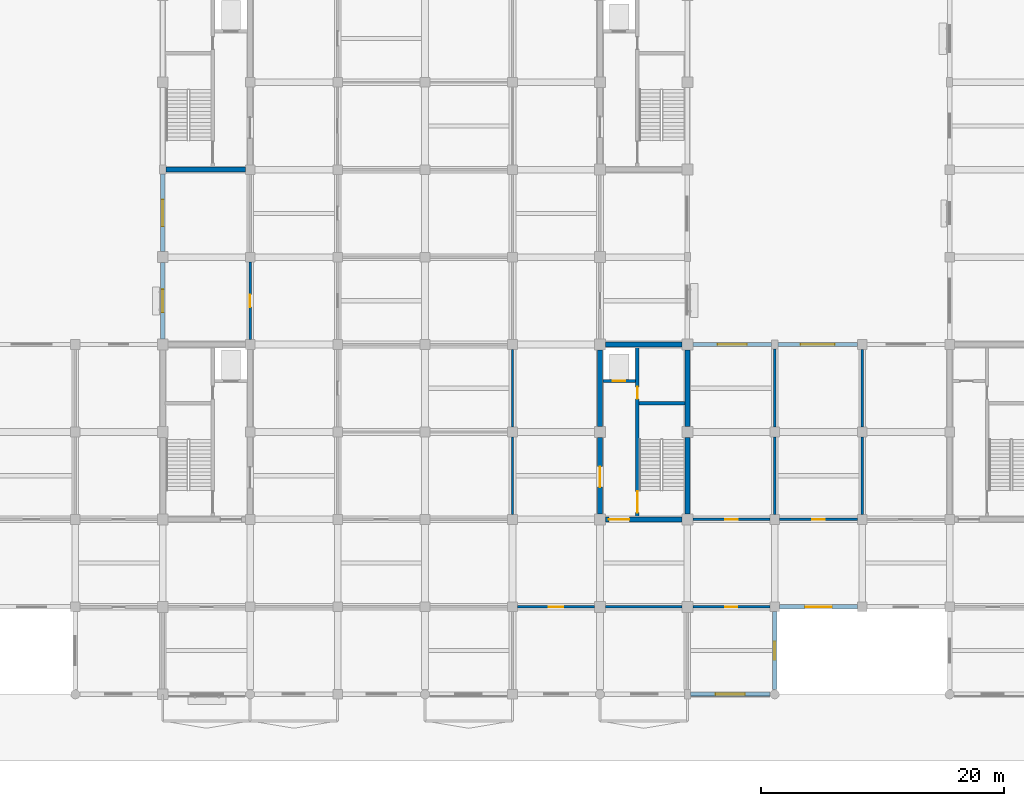
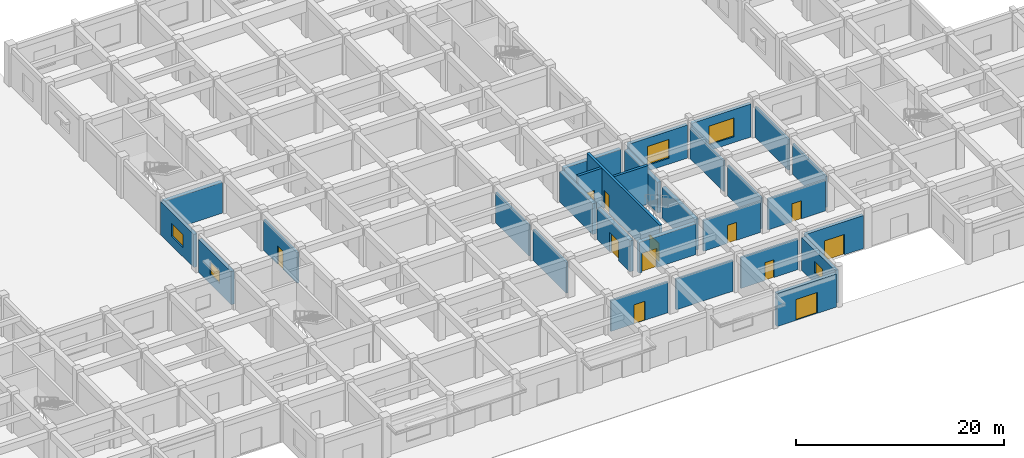
# One storey, part 12 of 37: 29 walls, 12 doors, 5 windows, 17 openings.
"""IFC4 building model written with IfcOpenShell, lengths in metres."""

from ifc_helpers import new_model, si_unit, direction, frame, frame_2d, origin, place, context, subcontext, project, spatial, rectangle, extrude, material, layer, layer_set, type_object, element, fill, save


model = new_model("IFC4")

# Units and contexts
model_context = context("Model", 3, precision=1e-05, world=origin(), true_north=direction((0.0, 1.0)))
body_context = subcontext(model_context, "Body", "Model", "MODEL_VIEW")
ifc_project = project(units=[si_unit("LENGTHUNIT", "METRE"), si_unit("AREAUNIT", "SQUARE_METRE"), si_unit("VOLUMEUNIT", "CUBIC_METRE"), si_unit("PLANEANGLEUNIT", "RADIAN"), si_unit("MASSUNIT", "GRAM", prefix="KILO")], contexts=[model_context])

# Site, building, storey
site_placement = place(None, origin())
site = spatial("IfcSite", under=ifc_project, at=site_placement, CompositionType="ELEMENT")
building_placement = place(site_placement, origin())
building = spatial("IfcBuilding", under=site, at=building_placement, Name="Cendaluz Park School", CompositionType="ELEMENT")
storey_placement = place(building_placement, origin())
storey = spatial("IfcBuildingStorey", under=building, at=storey_placement, Name="L00", CompositionType="ELEMENT", Elevation=0.0)

# Wall, opening, door
ifc_material_1 = material(Name="Gypsum Plasterboard on Cold-Formed Stud", Category="gypsum")
ifc_layer_1 = layer(ifc_material_1, 0.199951171875)
ifc_layer_set_1 = layer_set([ifc_layer_1], Name="Gypsum Plasterboard on Cold-Formed Stud")
wall_type_1 = type_object("IfcWallType", Name="W-AC20", PredefinedType="PARTITIONING", material=ifc_layer_set_1)
wall_1_placement = place(storey_placement, frame((108.449951171875, 14.39990234375, 0.0), z_axis=(0.0, 0.0, 1.0), x_axis=(1.0, 0.0, 0.0)))
wall_1 = element("IfcWall", 1, at=wall_1_placement, inside=storey, type_object=wall_type_1, Name="WL-FA-CH1", PredefinedType="PARTITIONING", context=body_context, shape_type="SweptSolid", body=[
    extrude(rectangle(XDim=6.35009765625, YDim=0.199951171875, at=frame_2d((3.175048828125, 0.0))), origin(), (0.0, 0.0, 1.0), 3.6201171875),
])
opening_1_placement = place(wall_1_placement, frame((2.6650390625, 0.0, 0.0)))
opening_1 = element("IfcOpeningElement", 2, at=opening_1_placement, cuts=wall_1, Name="Opening DCL-02", PredefinedType="OPENING", context=body_context, shape_type="SweptSolid", body=[
    extrude(rectangle(XDim=1.02001953125, YDim=2.1201171875, at=frame_2d((0.510009765625, 1.06005859375))), frame((0.0, 0.112060546875, 0.0), z_axis=(0.0, -1.0, 0.0), x_axis=(1.0, 0.0, 0.0)), (0.0, 0.0, 1.0), 0.223876953125),
])
ifc_material_2 = material(Name="Solid Core Hardwood", Category="wood")
door_type_1 = type_object("IfcDoorType", Name="DCL-02", OperationType="NOTDEFINED", PredefinedType="DOOR", material=ifc_material_2)
door_1_placement = place(opening_1_placement, origin())
door_1 = element("IfcDoor", 3, at=door_1_placement, inside=storey, type_object=door_type_1, Name="D-L00-084", OperationType="SINGLE_SWING_RIGHT", OverallHeight=2.1201171875, OverallWidth=1.02001953125, PredefinedType="DOOR", context=body_context, shape_type="SweptSolid", body=[
    extrude(rectangle(XDim=1.02001953125, YDim=2.1201171875, at=frame_2d((0.510009765625, 1.06005859375))), frame((0.0, 0.02490234375, 0.0), z_axis=(0.0, -1.0, 0.0), x_axis=(1.0, 0.0, 0.0)), (0.0, 0.0, 1.0), 0.050048828125),
])
fill(opening_1, door_1)

# Walls
wall_2_placement = place(storey_placement, frame((115.199951171875, 14.800048828125, 0.0), z_axis=(0.0, 0.0, 1.0), x_axis=(0.0, 1.0, 0.0)))
element("IfcWall", 4, at=wall_2_placement, inside=storey, type_object=wall_type_1, Name="WL-FA-CH2", PredefinedType="PARTITIONING", context=body_context, shape_type="SweptSolid", body=[
    extrude(rectangle(XDim=6.39990234375, YDim=0.199951171875, at=frame_2d((3.199951171875, 0.0))), origin(), (0.0, 0.0, 1.0), 3.6201171875),
])
wall_3_placement = place(storey_placement, frame((115.199951171875, 22.0, 0.0), z_axis=(0.0, 0.0, 1.0), x_axis=(0.0, 1.0, 0.0)))
element("IfcWall", 5, at=wall_3_placement, inside=storey, type_object=wall_type_1, Name="WL-FA-CH3", PredefinedType="PARTITIONING", context=body_context, shape_type="SweptSolid", body=[
    extrude(rectangle(XDim=6.425048828125, YDim=0.199951171875, at=frame_2d((3.21240234375, 0.0))), origin(), (0.0, 0.0, 1.0), 3.6201171875),
])

# Wall, opening, door
wall_4_placement = place(storey_placement, frame((115.60009765625, 14.39990234375, 0.0), z_axis=(0.0, 0.0, 1.0), x_axis=(1.0, 0.0, 0.0)))
wall_4 = element("IfcWall", 6, at=wall_4_placement, inside=storey, type_object=wall_type_1, Name="WL-FA-CH4", PredefinedType="PARTITIONING", context=body_context, shape_type="SweptSolid", body=[
    extrude(rectangle(XDim=6.39990234375, YDim=0.199951171875, at=frame_2d((3.199951171875, 0.0))), origin(), (0.0, 0.0, 1.0), 3.6201171875),
])
opening_2_placement = place(wall_4_placement, frame((2.679931640625, 0.0, 0.0)))
opening_2 = element("IfcOpeningElement", 7, at=opening_2_placement, cuts=wall_4, Name="Opening DCL-03", PredefinedType="OPENING", context=body_context, shape_type="SweptSolid", body=[
    extrude(rectangle(XDim=1.0400390625, YDim=2.139892578125, at=frame_2d((0.52001953125, 1.06982421875))), frame((0.0, 0.112060546875, 0.0), z_axis=(0.0, -1.0, 0.0), x_axis=(1.0, 0.0, 0.0)), (0.0, 0.0, 1.0), 0.223876953125),
])
door_type_2 = type_object("IfcDoorType", Name="DCL-03", OperationType="NOTDEFINED", PredefinedType="DOOR", material=ifc_material_2)
door_2_placement = place(opening_2_placement, origin())
door_2 = element("IfcDoor", 8, at=door_2_placement, inside=storey, type_object=door_type_2, Name="D-L00-085", OperationType="SINGLE_SWING_LEFT", OverallHeight=2.139892578125, OverallWidth=1.0400390625, PredefinedType="DOOR", context=body_context, shape_type="SweptSolid", body=[
    extrude(rectangle(XDim=1.0400390625, YDim=2.139892578125, at=frame_2d((0.52001953125, 1.06982421875))), frame((0.0, 0.02490234375, 0.0), z_axis=(0.0, -1.0, 0.0), x_axis=(1.0, 0.0, 0.0)), (0.0, 0.0, 1.0), 0.050048828125),
])
fill(opening_2, door_2)

# Walls
for number, where, z_axis, x_axis, name in (
    (9, (122.39990234375, 14.800048828125, 0.0), (0.0, 0.0, 1.0), (0.0, 1.0, 0.0), "WL-FA-CH5"),
    (10, (122.39990234375, 22.0, 0.0), (0.0, 0.0, 1.0), (0.0, 1.0, 0.0), "WL-FA-CH6"),
):
    element("IfcWall", number, at=place(storey_placement, frame(where, z_axis=z_axis, x_axis=x_axis)), inside=storey, type_object=wall_type_1, Name=name, PredefinedType="PARTITIONING", context=body_context, shape_type="SweptSolid", body=[
        extrude(rectangle(XDim=6.39990234375, YDim=0.199951171875, at=frame_2d((3.199951171875, 0.0))), origin(), (0.0, 0.0, 1.0), 3.6201171875),
    ])

# Wall, opening, door
wall_5_placement = place(storey_placement, frame((72.0, 29.199951171875, 0.0), z_axis=(0.0, 0.0, 1.0), x_axis=(0.0, 1.0, 0.0)))
wall_5 = element("IfcWall", 11, at=wall_5_placement, inside=storey, type_object=wall_type_1, Name="WL-FA-CJ4", PredefinedType="PARTITIONING", context=body_context, shape_type="SweptSolid", body=[
    extrude(rectangle(XDim=6.400146484375, YDim=0.199951171875, at=frame_2d((3.2001953125, 0.0))), origin(), (0.0, 0.0, 1.0), 3.6201171875),
])
opening_3_placement = place(wall_5_placement, frame((2.68994140625, 0.0, 0.0)))
opening_3 = element("IfcOpeningElement", 12, at=opening_3_placement, cuts=wall_5, Name="Opening DCL-02", PredefinedType="OPENING", context=body_context, shape_type="SweptSolid", body=[
    extrude(rectangle(XDim=1.02001953125, YDim=2.1201171875, at=frame_2d((0.510009765625, 1.06005859375))), frame((0.0, 0.112060546875, 0.0), z_axis=(0.0, -1.0, 0.0), x_axis=(1.0, 0.0, 0.0)), (0.0, 0.0, 1.0), 0.223876953125),
])
door_3_placement = place(opening_3_placement, origin())
door_3 = element("IfcDoor", 13, at=door_3_placement, inside=storey, type_object=door_type_1, Name="D-L00-094", OperationType="SINGLE_SWING_RIGHT", OverallHeight=2.1201171875, OverallWidth=1.02001953125, PredefinedType="DOOR", context=body_context, shape_type="SweptSolid", body=[
    extrude(rectangle(XDim=1.02001953125, YDim=2.1201171875, at=frame_2d((0.510009765625, 1.06005859375))), frame((0.0, 0.02490234375, 0.0), z_axis=(0.0, -1.0, 0.0), x_axis=(1.0, 0.0, 0.0)), (0.0, 0.0, 1.0), 0.050048828125),
])
fill(opening_3, door_3)

# Walls
for number, where, z_axis, x_axis, name in (
    (14, (93.60009765625, 14.800048828125, 0.0), (0.0, 0.0, 1.0), (0.0, 1.0, 0.0), "WL-FA-CK3"),
    (15, (93.60009765625, 22.0, 0.0), (0.0, 0.0, 1.0), (0.0, 1.0, 0.0), "WL-FA-CK5"),
):
    element("IfcWall", number, at=place(storey_placement, frame(where, z_axis=z_axis, x_axis=x_axis)), inside=storey, type_object=wall_type_1, Name=name, PredefinedType="PARTITIONING", context=body_context, shape_type="SweptSolid", body=[
        extrude(rectangle(XDim=6.39990234375, YDim=0.199951171875, at=frame_2d((3.199951171875, 0.0))), origin(), (0.0, 0.0, 1.0), 3.6201171875),
    ])

# Wall, opening, door
wall_6_placement = place(storey_placement, frame((94.0, 7.199951171875, 0.0), z_axis=(0.0, 0.0, 1.0), x_axis=(1.0, 0.0, 0.0)))
wall_6 = element("IfcWall", 16, at=wall_6_placement, inside=storey, type_object=wall_type_1, Name="WL-FA-CL2", PredefinedType="PARTITIONING", context=body_context, shape_type="SweptSolid", body=[
    extrude(rectangle(XDim=6.35009765625, YDim=0.199951171875, at=frame_2d((3.175048828125, 0.0))), origin(), (0.0, 0.0, 1.0), 3.6201171875),
])
opening_4_placement = place(wall_6_placement, frame((2.574951171875, 0.0, 0.0)))
opening_4 = element("IfcOpeningElement", 17, at=opening_4_placement, cuts=wall_6, Name="Opening DCL-08", PredefinedType="OPENING", context=body_context, shape_type="SweptSolid", body=[
    extrude(rectangle(XDim=1.199951171875, YDim=2.239990234375, at=frame_2d((0.60009765625, 1.1201171875))), frame((0.0, 0.112060546875, 0.0), z_axis=(0.0, -1.0, 0.0), x_axis=(1.0, 0.0, 0.0)), (0.0, 0.0, 1.0), 0.223876953125),
])
door_type_3 = type_object("IfcDoorType", Name="DCL-08", OperationType="NOTDEFINED", PredefinedType="DOOR", material=ifc_material_2)
door_4_placement = place(opening_4_placement, frame((1.199951171875, 0.0, 0.0), z_axis=(0.0, 0.0, 1.0), x_axis=(-1.0, 0.0, 0.0)))
door_4 = element("IfcDoor", 18, at=door_4_placement, inside=storey, type_object=door_type_3, Name="D-L00-100", OperationType="SINGLE_SWING_RIGHT", OverallHeight=2.239990234375, OverallWidth=1.199951171875, PredefinedType="DOOR", context=body_context, shape_type="SweptSolid", body=[
    extrude(rectangle(XDim=1.199951171875, YDim=2.239990234375, at=frame_2d((0.60009765625, 1.1201171875))), frame((0.0, 0.02490234375, 0.0), z_axis=(0.0, -1.0, 0.0), x_axis=(1.0, 0.0, 0.0)), (0.0, 0.0, 1.0), 0.050048828125),
])
fill(opening_4, door_4)

# Wall
wall_7_placement = place(storey_placement, frame((101.25, 7.199951171875, 0.0), z_axis=(0.0, 0.0, 1.0), x_axis=(1.0, 0.0, 0.0)))
element("IfcWall", 19, at=wall_7_placement, inside=storey, type_object=wall_type_1, Name="WL-FA-CL3", PredefinedType="PARTITIONING", context=body_context, shape_type="SweptSolid", body=[
    extrude(rectangle(XDim=6.300048828125, YDim=0.199951171875, at=frame_2d((3.14990234375, 0.0))), origin(), (0.0, 0.0, 1.0), 3.6201171875),
])

# Wall, opening, door
wall_8_placement = place(storey_placement, frame((108.449951171875, 7.199951171875, 0.0), z_axis=(0.0, 0.0, 1.0), x_axis=(1.0, 0.0, 0.0)))
wall_8 = element("IfcWall", 20, at=wall_8_placement, inside=storey, type_object=wall_type_1, Name="WL-FA-CL9", PredefinedType="PARTITIONING", context=body_context, shape_type="SweptSolid", body=[
    extrude(rectangle(XDim=6.35009765625, YDim=0.199951171875, at=frame_2d((3.175048828125, 0.0))), origin(), (0.0, 0.0, 1.0), 3.6201171875),
])
opening_5_placement = place(wall_8_placement, frame((2.675048828125, 0.0, 0.0)))
opening_5 = element("IfcOpeningElement", 21, at=opening_5_placement, cuts=wall_8, Name="Opening DCL-01", PredefinedType="OPENING", context=body_context, shape_type="SweptSolid", body=[
    extrude(rectangle(XDim=1.0, YDim=2.10009765625, at=frame_2d((0.5, 1.050048828125))), frame((0.0, 0.112060546875, 0.0), z_axis=(0.0, -1.0, 0.0), x_axis=(1.0, 0.0, 0.0)), (0.0, 0.0, 1.0), 0.223876953125),
])
door_type_4 = type_object("IfcDoorType", Name="DCL-01", OperationType="NOTDEFINED", PredefinedType="DOOR", material=ifc_material_2)
door_5_placement = place(opening_5_placement, frame((1.0, 0.0, 0.0), z_axis=(0.0, 0.0, 1.0), x_axis=(-1.0, 0.0, 0.0)))
door_5 = element("IfcDoor", 22, at=door_5_placement, inside=storey, type_object=door_type_4, Name="D-L00-103", OperationType="SINGLE_SWING_LEFT", OverallHeight=2.10009765625, OverallWidth=1.0, PredefinedType="DOOR", context=body_context, shape_type="SweptSolid", body=[
    extrude(rectangle(XDim=1.0, YDim=2.10009765625, at=frame_2d((0.5, 1.050048828125))), frame((0.0, 0.02490234375, 0.0), z_axis=(0.0, -1.0, 0.0), x_axis=(1.0, 0.0, 0.0)), (0.0, 0.0, 1.0), 0.050048828125),
])
fill(opening_5, door_5)

# Wall, opening, window
ifc_material_3 = material(Name="Concrete C40/50 precast", Category="concrete")
ifc_layer_2 = layer(ifc_material_3, 0.360107421875)
ifc_layer_set_2 = layer_set([ifc_layer_2], Name="Concrete C40/50 precast")
wall_type_2 = type_object("IfcWallType", Name="W-EX36", PredefinedType="SOLIDWALL", material=ifc_layer_set_2)
wall_9_placement = place(storey_placement, frame((64.800048828125, 29.25, 0.0), z_axis=(0.0, 0.0, 1.0), x_axis=(0.0, 1.0, 0.0)))
wall_9 = element("IfcWall", 23, at=wall_9_placement, inside=storey, type_object=wall_type_2, Name="WL-FA-AF5", PredefinedType="SOLIDWALL", context=body_context, shape_type="SweptSolid", body=[
    extrude(rectangle(XDim=6.300048828125, YDim=0.360107421875, at=frame_2d((3.14990234375, 0.0))), origin(), (0.0, 0.0, 1.0), 3.889892578125),
])
opening_6_placement = place(wall_9_placement, frame((2.199951171875, 0.0, 1.10009765625)))
opening_6 = element("IfcOpeningElement", 24, at=opening_6_placement, cuts=wall_9, Name="Opening WN-17", PredefinedType="OPENING", context=body_context, shape_type="SweptSolid", body=[
    extrude(rectangle(XDim=1.89990234375, YDim=1.5, at=frame_2d((0.949951171875, 0.75))), frame((0.0, 0.192138671875, 0.0), z_axis=(0.0, -1.0, 0.0), x_axis=(1.0, 0.0, 0.0)), (0.0, 0.0, 1.0), 0.384033203125),
])
ifc_material_4 = material(Name="Tempered Low-E Double Glazing", Category="glass")
window_type_1 = type_object("IfcWindowType", Name="WN-17", PartitioningType="SINGLE_PANEL", PredefinedType="WINDOW", material=ifc_material_4)
window_1_placement = place(opening_6_placement, origin())
window_1 = element("IfcWindow", 25, at=window_1_placement, inside=storey, type_object=window_type_1, Name="WN-L00-043", OverallHeight=1.5, OverallWidth=1.89990234375, PartitioningType="SINGLE_PANEL", PredefinedType="WINDOW", context=body_context, shape_type="SweptSolid", body=[
    extrude(rectangle(XDim=1.89990234375, YDim=1.5, at=frame_2d((0.949951171875, 0.75))), frame((0.0, 0.030029296875, 0.0), z_axis=(0.0, -1.0, 0.0), x_axis=(1.0, 0.0, 0.0)), (0.0, 0.0, 1.0), 0.06005859375),
])
fill(opening_6, window_1)

wall_10_placement = place(storey_placement, frame((64.800048828125, 36.449951171875, 0.0), z_axis=(0.0, 0.0, 1.0), x_axis=(0.0, 1.0, 0.0)))
wall_10 = element("IfcWall", 26, at=wall_10_placement, inside=storey, type_object=wall_type_2, Name="WL-FA-AF6", PredefinedType="SOLIDWALL", context=body_context, shape_type="SweptSolid", body=[
    extrude(rectangle(XDim=6.375, YDim=0.360107421875, at=frame_2d((3.1875, 0.0))), origin(), (0.0, 0.0, 1.0), 3.889892578125),
])
opening_7_placement = place(wall_10_placement, frame((2.08740234375, 0.0, 1.10009765625)))
opening_7 = element("IfcOpeningElement", 27, at=opening_7_placement, cuts=wall_10, Name="Opening WN-18", PredefinedType="OPENING", context=body_context, shape_type="SweptSolid", body=[
    extrude(rectangle(XDim=2.199951171875, YDim=1.5, at=frame_2d((1.10009765625, 0.75))), frame((0.0, 0.192138671875, 0.0), z_axis=(0.0, -1.0, 0.0), x_axis=(1.0, 0.0, 0.0)), (0.0, 0.0, 1.0), 0.384033203125),
])
window_type_2 = type_object("IfcWindowType", Name="WN-18", PartitioningType="SINGLE_PANEL", PredefinedType="WINDOW", material=ifc_material_4)
window_2_placement = place(opening_7_placement, origin())
window_2 = element("IfcWindow", 28, at=window_2_placement, inside=storey, type_object=window_type_2, Name="WN-L00-044", OverallHeight=1.5, OverallWidth=2.199951171875, PartitioningType="SINGLE_PANEL", PredefinedType="WINDOW", context=body_context, shape_type="SweptSolid", body=[
    extrude(rectangle(XDim=2.199951171875, YDim=1.5, at=frame_2d((1.10009765625, 0.75))), frame((0.0, 0.030029296875, 0.0), z_axis=(0.0, -1.0, 0.0), x_axis=(1.0, 0.0, 0.0)), (0.0, 0.0, 1.0), 0.06005859375),
])
fill(opening_7, window_2)

# Wall, opening, door
wall_11_placement = place(storey_placement, frame((108.25, 0.0, 0.0), z_axis=(0.0, 0.0, 1.0), x_axis=(1.0, 0.0, 0.0)))
wall_11 = element("IfcWall", 29, at=wall_11_placement, inside=storey, type_object=wall_type_2, Name="WL-FA-AH4", PredefinedType="SOLIDWALL", context=body_context, shape_type="SweptSolid", body=[
    extrude(rectangle(XDim=6.574951171875, YDim=0.360107421875, at=frame_2d((3.28759765625, 0.0))), origin(), (0.0, 0.0, 1.0), 3.889892578125),
])
opening_8_placement = place(wall_11_placement, frame((2.08740234375, 0.0, 0.0)))
opening_8 = element("IfcOpeningElement", 30, at=opening_8_placement, cuts=wall_11, Name="Opening DEX-04", PredefinedType="OPENING", context=body_context, shape_type="SweptSolid", body=[
    extrude(rectangle(XDim=2.39990234375, YDim=2.449951171875, at=frame_2d((1.199951171875, 1.22509765625))), frame((0.0, 0.192138671875, 0.0), z_axis=(0.0, -1.0, 0.0), x_axis=(1.0, 0.0, 0.0)), (0.0, 0.0, 1.0), 0.384033203125),
])
ifc_material_5 = material(Name="Architectural Bronze")
door_type_5 = type_object("IfcDoorType", Name="DEX-04", OperationType="DOUBLE_DOOR_SINGLE_SWING", PredefinedType="DOOR", material=ifc_material_5)
door_6_placement = place(opening_8_placement, frame((2.39990234375, 0.0, 0.0), z_axis=(0.0, 0.0, 1.0), x_axis=(-1.0, 0.0, 0.0)))
door_6 = element("IfcDoor", 31, at=door_6_placement, inside=storey, type_object=door_type_5, Name="D-L00-018", OperationType="DOUBLE_DOOR_SINGLE_SWING", OverallHeight=2.449951171875, OverallWidth=2.39990234375, PredefinedType="DOOR", context=body_context, shape_type="SweptSolid", body=[
    extrude(rectangle(XDim=2.39990234375, YDim=2.449951171875, at=frame_2d((1.199951171875, 1.22509765625))), frame((0.0, 0.02490234375, 0.0), z_axis=(0.0, -1.0, 0.0), x_axis=(1.0, 0.0, 0.0)), (0.0, 0.0, 1.0), 0.050048828125),
])
fill(opening_8, door_6)

# Wall, opening, window
wall_12_placement = place(storey_placement, frame((115.199951171875, 0.375, 0.0), z_axis=(0.0, 0.0, 1.0), x_axis=(0.0, 1.0, 0.0)))
wall_12 = element("IfcWall", 32, at=wall_12_placement, inside=storey, type_object=wall_type_2, Name="WL-FA-AH5", PredefinedType="SOLIDWALL", context=body_context, shape_type="SweptSolid", body=[
    extrude(rectangle(XDim=6.425048828125, YDim=0.360107421875, at=frame_2d((3.21240234375, 0.0))), origin(), (0.0, 0.0, 1.0), 3.889892578125),
])
opening_9_placement = place(wall_12_placement, frame((2.46240234375, 0.0, 1.199951171875)))
opening_9 = element("IfcOpeningElement", 33, at=opening_9_placement, cuts=wall_12, Name="Opening WN-20", PredefinedType="OPENING", context=body_context, shape_type="SweptSolid", body=[
    extrude(rectangle(XDim=1.5, YDim=1.35009765625, at=frame_2d((0.75, 0.675048828125))), frame((0.0, 0.192138671875, 0.0), z_axis=(0.0, -1.0, 0.0), x_axis=(1.0, 0.0, 0.0)), (0.0, 0.0, 1.0), 0.384033203125),
])
window_type_3 = type_object("IfcWindowType", Name="WN-20", PartitioningType="SINGLE_PANEL", PredefinedType="WINDOW", material=ifc_material_4)
window_3_placement = place(opening_9_placement, origin())
window_3 = element("IfcWindow", 34, at=window_3_placement, inside=storey, type_object=window_type_3, Name="WN-L00-058", OverallHeight=1.35009765625, OverallWidth=1.5, PartitioningType="SINGLE_PANEL", PredefinedType="WINDOW", context=body_context, shape_type="SweptSolid", body=[
    extrude(rectangle(XDim=1.5, YDim=1.35009765625, at=frame_2d((0.75, 0.675048828125))), frame((0.0, 0.030029296875, 0.0), z_axis=(0.0, -1.0, 0.0), x_axis=(1.0, 0.0, 0.0)), (0.0, 0.0, 1.0), 0.06005859375),
])
fill(opening_9, window_3)

wall_13_placement = place(storey_placement, frame((108.449951171875, 28.800048828125, 0.0), z_axis=(0.0, 0.0, 1.0), x_axis=(1.0, 0.0, 0.0)))
wall_13 = element("IfcWall", 35, at=wall_13_placement, inside=storey, type_object=wall_type_2, Name="WL-FA-AH6", PredefinedType="SOLIDWALL", context=body_context, shape_type="SweptSolid", body=[
    extrude(rectangle(XDim=6.5, YDim=0.360107421875, at=frame_2d((3.25, 0.0))), origin(), (0.0, 0.0, 1.0), 3.889892578125),
])
opening_10_placement = place(wall_13_placement, frame((2.050048828125, 0.0, 0.699951171875)))
opening_10 = element("IfcOpeningElement", 36, at=opening_10_placement, cuts=wall_13, Name="Opening WN-23", PredefinedType="OPENING", context=body_context, shape_type="SweptSolid", body=[
    extrude(rectangle(XDim=2.39990234375, YDim=2.199951171875, at=frame_2d((1.199951171875, 1.10009765625))), frame((0.0, 0.192138671875, 0.0), z_axis=(0.0, -1.0, 0.0), x_axis=(1.0, 0.0, 0.0)), (0.0, 0.0, 1.0), 0.384033203125),
])
window_type_4 = type_object("IfcWindowType", Name="WN-23", PartitioningType="SINGLE_PANEL", PredefinedType="WINDOW", material=ifc_material_4)
window_4_placement = place(opening_10_placement, origin())
window_4 = element("IfcWindow", 37, at=window_4_placement, inside=storey, type_object=window_type_4, Name="WN-L00-059", OverallHeight=2.199951171875, OverallWidth=2.39990234375, PartitioningType="SINGLE_PANEL", PredefinedType="WINDOW", context=body_context, shape_type="SweptSolid", body=[
    extrude(rectangle(XDim=2.39990234375, YDim=2.199951171875, at=frame_2d((1.199951171875, 1.10009765625))), frame((0.0, 0.030029296875, 0.0), z_axis=(0.0, -1.0, 0.0), x_axis=(1.0, 0.0, 0.0)), (0.0, 0.0, 1.0), 0.06005859375),
])
fill(opening_10, window_4)

# Wall, opening, door
wall_14_placement = place(storey_placement, frame((115.60009765625, 7.199951171875, 0.0), z_axis=(0.0, 0.0, 1.0), x_axis=(1.0, 0.0, 0.0)))
wall_14 = element("IfcWall", 38, at=wall_14_placement, inside=storey, type_object=wall_type_2, Name="WL-FA-AH7", PredefinedType="SOLIDWALL", context=body_context, shape_type="SweptSolid", body=[
    extrude(rectangle(XDim=6.39990234375, YDim=0.360107421875, at=frame_2d((3.199951171875, 0.0))), origin(), (0.0, 0.0, 1.0), 3.889892578125),
])
opening_11_placement = place(wall_14_placement, frame((2.10009765625, 0.0, 0.0)))
opening_11 = element("IfcOpeningElement", 39, at=opening_11_placement, cuts=wall_14, Name="Opening DEX-01", PredefinedType="OPENING", context=body_context, shape_type="SweptSolid", body=[
    extrude(rectangle(XDim=2.199951171875, YDim=2.39990234375, at=frame_2d((1.10009765625, 1.199951171875))), frame((0.0, 0.192138671875, 0.0), z_axis=(0.0, -1.0, 0.0), x_axis=(1.0, 0.0, 0.0)), (0.0, 0.0, 1.0), 0.384033203125),
])
door_type_6 = type_object("IfcDoorType", Name="DEX-01", OperationType="DOUBLE_DOOR_SINGLE_SWING", PredefinedType="DOOR", material=ifc_material_5)
door_7_placement = place(opening_11_placement, frame((2.199951171875, 0.0, 0.0), z_axis=(0.0, 0.0, 1.0), x_axis=(-1.0, 0.0, 0.0)))
door_7 = element("IfcDoor", 40, at=door_7_placement, inside=storey, type_object=door_type_6, Name="D-L00-019", OperationType="DOUBLE_DOOR_SINGLE_SWING", OverallHeight=2.39990234375, OverallWidth=2.199951171875, PredefinedType="DOOR", context=body_context, shape_type="SweptSolid", body=[
    extrude(rectangle(XDim=2.199951171875, YDim=2.39990234375, at=frame_2d((1.10009765625, 1.199951171875))), frame((0.0, 0.02490234375, 0.0), z_axis=(0.0, -1.0, 0.0), x_axis=(1.0, 0.0, 0.0)), (0.0, 0.0, 1.0), 0.050048828125),
])
fill(opening_11, door_7)

# Wall, opening, window
wall_15_placement = place(storey_placement, frame((115.449951171875, 28.800048828125, 0.0), z_axis=(0.0, 0.0, 1.0), x_axis=(1.0, 0.0, 0.0)))
wall_15 = element("IfcWall", 41, at=wall_15_placement, inside=storey, type_object=wall_type_2, Name="WL-FA-AH8", PredefinedType="SOLIDWALL", context=body_context, shape_type="SweptSolid", body=[
    extrude(rectangle(XDim=6.550048828125, YDim=0.360107421875, at=frame_2d((3.27490234375, 0.0))), origin(), (0.0, 0.0, 1.0), 3.889892578125),
])
opening_12_placement = place(wall_15_placement, frame((1.875, 0.0, 0.699951171875)))
opening_12 = element("IfcOpeningElement", 42, at=opening_12_placement, cuts=wall_15, Name="Opening WN-24", PredefinedType="OPENING", context=body_context, shape_type="SweptSolid", body=[
    extrude(rectangle(XDim=2.800048828125, YDim=2.199951171875, at=frame_2d((1.39990234375, 1.10009765625))), frame((0.0, 0.192138671875, 0.0), z_axis=(0.0, -1.0, 0.0), x_axis=(1.0, 0.0, 0.0)), (0.0, 0.0, 1.0), 0.384033203125),
])
window_type_5 = type_object("IfcWindowType", Name="WN-24", PartitioningType="SINGLE_PANEL", PredefinedType="WINDOW", material=ifc_material_4)
window_5_placement = place(opening_12_placement, origin())
window_5 = element("IfcWindow", 43, at=window_5_placement, inside=storey, type_object=window_type_5, Name="WN-L00-060", OverallHeight=2.199951171875, OverallWidth=2.800048828125, PartitioningType="SINGLE_PANEL", PredefinedType="WINDOW", context=body_context, shape_type="SweptSolid", body=[
    extrude(rectangle(XDim=2.800048828125, YDim=2.199951171875, at=frame_2d((1.39990234375, 1.10009765625))), frame((0.0, 0.030029296875, 0.0), z_axis=(0.0, -1.0, 0.0), x_axis=(1.0, 0.0, 0.0)), (0.0, 0.0, 1.0), 0.06005859375),
])
fill(opening_12, window_5)

# Wall, openings, doors
ifc_material_6 = material(Name="Concrete C40/50", Category="concrete")
ifc_layer_3 = layer(ifc_material_6, 0.280029296875)
ifc_layer_set_3 = layer_set([ifc_layer_3], Name="Concrete C40/50")
wall_type_3 = type_object("IfcWallType", Name="W-FW28", PredefinedType="SHEAR", material=ifc_layer_set_3)
wall_16_placement = place(storey_placement, frame((103.8798828125, 14.60009765625, 0.0), z_axis=(0.0, 0.0, 1.0), x_axis=(0.0, 1.0, 0.0)))
wall_16 = element("IfcWall", 44, at=wall_16_placement, inside=storey, type_object=wall_type_3, Name="WL-FA-BS3", PredefinedType="SHEAR", context=body_context, shape_type="SweptSolid", body=[
    extrude(rectangle(XDim=14.0, YDim=0.280029296875, at=frame_2d((7.0, 0.0))), origin(), (0.0, 0.0, 1.0), 4.52001953125),
])
opening_13_placement = place(wall_16_placement, frame((0.35009765625, 0.0, 0.0)))
opening_13 = element("IfcOpeningElement", 45, at=opening_13_placement, cuts=wall_16, Name="Opening DST-03", PredefinedType="OPENING", context=body_context, shape_type="SweptSolid", body=[
    extrude(rectangle(XDim=1.75, YDim=2.14990234375, at=frame_2d((0.875, 1.074951171875))), frame((0.0, 0.152099609375, 0.0), z_axis=(0.0, -1.0, 0.0), x_axis=(1.0, 0.0, 0.0)), (0.0, 0.0, 1.0), 0.303955078125),
])
opening_14_placement = place(wall_16_placement, frame((9.719970703125, 0.0, 0.0)))
opening_14 = element("IfcOpeningElement", 46, at=opening_14_placement, cuts=wall_16, Name="Opening DFC-01", PredefinedType="OPENING", context=body_context, shape_type="SweptSolid", body=[
    extrude(rectangle(XDim=1.0, YDim=2.14990234375, at=frame_2d((0.5, 1.074951171875))), frame((0.0, 0.152099609375, 0.0), z_axis=(0.0, -1.0, 0.0), x_axis=(1.0, 0.0, 0.0)), (0.0, 0.0, 1.0), 0.303955078125),
])
door_type_7 = type_object("IfcDoorType", Name="DFC-01", OperationType="NOTDEFINED", PredefinedType="DOOR", material=ifc_material_2)
door_8_placement = place(opening_14_placement, frame((1.0, 0.0, 0.0), z_axis=(0.0, 0.0, 1.0), x_axis=(-1.0, 0.0, 0.0)))
door_8 = element("IfcDoor", 47, at=door_8_placement, inside=storey, type_object=door_type_7, Name="D-L00-038", OperationType="SINGLE_SWING_RIGHT", OverallHeight=2.14990234375, OverallWidth=1.0, PredefinedType="DOOR", context=body_context, shape_type="SweptSolid", body=[
    extrude(rectangle(XDim=1.0, YDim=2.14990234375, at=frame_2d((0.5, 1.074951171875))), frame((0.0, 0.02490234375, 0.0), z_axis=(0.0, -1.0, 0.0), x_axis=(1.0, 0.0, 0.0)), (0.0, 0.0, 1.0), 0.050048828125),
])
fill(opening_14, door_8)
door_type_8 = type_object("IfcDoorType", Name="DST-03", OperationType="DOUBLE_DOOR_SINGLE_SWING", PredefinedType="DOOR", material=ifc_material_2)
door_9_placement = place(opening_13_placement, origin())
door_9 = element("IfcDoor", 48, at=door_9_placement, inside=storey, type_object=door_type_8, Name="D-L00-037", OperationType="DOUBLE_DOOR_SINGLE_SWING", OverallHeight=2.14990234375, OverallWidth=1.75, PredefinedType="DOOR", context=body_context, shape_type="SweptSolid", body=[
    extrude(rectangle(XDim=1.75, YDim=2.14990234375, at=frame_2d((0.875, 1.074951171875))), frame((0.0, 0.02490234375, 0.0), z_axis=(0.0, -1.0, 0.0), x_axis=(1.0, 0.0, 0.0)), (0.0, 0.0, 1.0), 0.050048828125),
])
fill(opening_13, door_9)

# Wall
wall_17_placement = place(storey_placement, frame((104.02001953125, 23.97998046875, 0.0), z_axis=(0.0, 0.0, 1.0), x_axis=(1.0, 0.0, 0.0)))
element("IfcWall", 49, at=wall_17_placement, inside=storey, type_object=wall_type_3, Name="WL-FA-BS4", PredefinedType="SHEAR", context=body_context, shape_type="SweptSolid", body=[
    extrude(rectangle(XDim=3.780029296875, YDim=0.280029296875, at=frame_2d((1.89013671875, 0.0))), origin(), (0.0, 0.0, 1.0), 4.52001953125),
])

# Wall, opening, door
wall_18_placement = place(storey_placement, frame((101.0400390625, 25.800048828125, 0.0), z_axis=(0.0, 0.0, 1.0), x_axis=(1.0, 0.0, 0.0)))
wall_18 = element("IfcWall", 50, at=wall_18_placement, inside=storey, type_object=wall_type_3, Name="WL-FA-BS5", PredefinedType="SHEAR", context=body_context, shape_type="SweptSolid", body=[
    extrude(rectangle(XDim=2.679931640625, YDim=0.280029296875, at=frame_2d((1.33984375, 0.0))), origin(), (0.0, 0.0, 1.0), 4.52001953125),
])
opening_15_placement = place(wall_18_placement, frame((0.81494140625, 0.0, 0.0)))
opening_15 = element("IfcOpeningElement", 51, at=opening_15_placement, cuts=wall_18, Name="Opening LD-02", PredefinedType="OPENING", context=body_context, shape_type="SweptSolid", body=[
    extrude(rectangle(XDim=1.050048828125, YDim=2.199951171875, at=frame_2d((0.52490234375, 1.10009765625))), frame((0.0, 0.152099609375, 0.0), z_axis=(0.0, -1.0, 0.0), x_axis=(1.0, 0.0, 0.0)), (0.0, 0.0, 1.0), 0.303955078125),
])
ifc_material_7 = material(Name="Stainless Steel 316L", Category="steel")
door_type_9 = type_object("IfcDoorType", Name="LD-02", OperationType="DOUBLE_DOOR_SLIDING", PredefinedType="DOOR", material=ifc_material_7)
door_10_placement = place(opening_15_placement, frame((1.050048828125, 0.0, 0.0), z_axis=(0.0, 0.0, 1.0), x_axis=(-1.0, 0.0, 0.0)))
door_10 = element("IfcDoor", 52, at=door_10_placement, inside=storey, type_object=door_type_9, Name="D-L00-039", OperationType="DOUBLE_DOOR_SLIDING", OverallHeight=2.199951171875, OverallWidth=1.050048828125, PredefinedType="DOOR", context=body_context, shape_type="SweptSolid", body=[
    extrude(rectangle(XDim=1.050048828125, YDim=2.199951171875, at=frame_2d((0.52490234375, 1.10009765625))), frame((0.0, 0.02490234375, 0.0), z_axis=(0.0, -1.0, 0.0), x_axis=(1.0, 0.0, 0.0)), (0.0, 0.0, 1.0), 0.050048828125),
])
fill(opening_15, door_10)

ifc_layer_4 = layer(ifc_material_6, 0.419921875)
ifc_layer_set_4 = layer_set([ifc_layer_4], Name="Concrete C40/50")
wall_type_4 = type_object("IfcWallType", Name="W-SH42", PredefinedType="SHEAR", material=ifc_layer_set_4)
wall_19_placement = place(storey_placement, frame((100.800048828125, 14.85009765625, 0.0), z_axis=(0.0, 0.0, 1.0), x_axis=(0.0, 1.0, 0.0)))
wall_19 = element("IfcWall", 53, at=wall_19_placement, inside=storey, type_object=wall_type_4, Name="WL-FA-BR7", PredefinedType="SHEAR", context=body_context, shape_type="SweptSolid", body=[
    extrude(rectangle(XDim=6.2998046875, YDim=0.419921875, at=frame_2d((3.14990234375, 0.0))), origin(), (0.0, 0.0, 1.0), 3.6201171875),
])
opening_16_placement = place(wall_19_placement, frame((2.199951171875, 0.0, 0.0)))
opening_16 = element("IfcOpeningElement", 54, at=opening_16_placement, cuts=wall_19, Name="Opening DLB-02", PredefinedType="OPENING", context=body_context, shape_type="SweptSolid", body=[
    extrude(rectangle(XDim=1.699951171875, YDim=2.25, at=frame_2d((0.85009765625, 1.125))), frame((0.0, 0.221923828125, 0.0), z_axis=(0.0, -1.0, 0.0), x_axis=(1.0, 0.0, 0.0)), (0.0, 0.0, 1.0), 0.44384765625),
])
door_type_10 = type_object("IfcDoorType", Name="DLB-02", OperationType="DOUBLE_DOOR_SINGLE_SWING", PredefinedType="DOOR", material=ifc_material_2)
door_11_placement = place(opening_16_placement, origin())
door_11 = element("IfcDoor", 55, at=door_11_placement, inside=storey, type_object=door_type_10, Name="D-L00-035", OperationType="DOUBLE_DOOR_SINGLE_SWING", OverallHeight=2.25, OverallWidth=1.699951171875, PredefinedType="DOOR", context=body_context, shape_type="SweptSolid", body=[
    extrude(rectangle(XDim=1.699951171875, YDim=2.25, at=frame_2d((0.85009765625, 1.125))), frame((0.0, 0.02490234375, 0.0), z_axis=(0.0, -1.0, 0.0), x_axis=(1.0, 0.0, 0.0)), (0.0, 0.0, 1.0), 0.050048828125),
])
fill(opening_16, door_11)

# Walls
wall_20_placement = place(storey_placement, frame((100.800048828125, 22.050048828125, 0.0), z_axis=(0.0, 0.0, 1.0), x_axis=(0.0, 1.0, 0.0)))
element("IfcWall", 56, at=wall_20_placement, inside=storey, type_object=wall_type_4, Name="WL-FA-BR8", PredefinedType="SHEAR", context=body_context, shape_type="SweptSolid", body=[
    extrude(rectangle(XDim=6.300048828125, YDim=0.419921875, at=frame_2d((3.14990234375, 0.0))), origin(), (0.0, 0.0, 1.0), 3.6201171875),
])
wall_21_placement = place(storey_placement, frame((108.0, 14.85009765625, 0.0), z_axis=(0.0, 0.0, 1.0), x_axis=(0.0, 1.0, 0.0)))
element("IfcWall", 57, at=wall_21_placement, inside=storey, type_object=wall_type_4, Name="WL-FA-BR9", PredefinedType="SHEAR", context=body_context, shape_type="SweptSolid", body=[
    extrude(rectangle(XDim=6.2998046875, YDim=0.419921875, at=frame_2d((3.14990234375, 0.0))), origin(), (0.0, 0.0, 1.0), 3.6201171875),
])
wall_22_placement = place(storey_placement, frame((108.0, 22.050048828125, 0.0), z_axis=(0.0, 0.0, 1.0), x_axis=(0.0, 1.0, 0.0)))
element("IfcWall", 58, at=wall_22_placement, inside=storey, type_object=wall_type_4, Name="WL-FA-BS0", PredefinedType="SHEAR", context=body_context, shape_type="SweptSolid", body=[
    extrude(rectangle(XDim=6.300048828125, YDim=0.419921875, at=frame_2d((3.14990234375, 0.0))), origin(), (0.0, 0.0, 1.0), 3.6201171875),
])

# Wall, opening, door
wall_23_placement = place(storey_placement, frame((101.25, 14.39990234375, 0.0), z_axis=(0.0, 0.0, 1.0), x_axis=(1.0, 0.0, 0.0)))
wall_23 = element("IfcWall", 59, at=wall_23_placement, inside=storey, type_object=wall_type_4, Name="WL-FA-BS1", PredefinedType="SHEAR", context=body_context, shape_type="SweptSolid", body=[
    extrude(rectangle(XDim=6.300048828125, YDim=0.419921875, at=frame_2d((3.14990234375, 0.0))), origin(), (0.0, 0.0, 1.0), 3.6201171875),
])
opening_17_placement = place(wall_23_placement, frame((0.280029296875, 0.0, 0.0)))
opening_17 = element("IfcOpeningElement", 60, at=opening_17_placement, cuts=wall_23, Name="Opening DLB-02", PredefinedType="OPENING", context=body_context, shape_type="SweptSolid", body=[
    extrude(rectangle(XDim=1.699951171875, YDim=2.25, at=frame_2d((0.85009765625, 1.125))), frame((0.0, 0.221923828125, 0.0), z_axis=(0.0, -1.0, 0.0), x_axis=(1.0, 0.0, 0.0)), (0.0, 0.0, 1.0), 0.44384765625),
])
door_12_placement = place(opening_17_placement, frame((1.699951171875, 0.0, 0.0), z_axis=(0.0, 0.0, 1.0), x_axis=(-1.0, 0.0, 0.0)))
door_12 = element("IfcDoor", 61, at=door_12_placement, inside=storey, type_object=door_type_10, Name="D-L00-036", OperationType="DOUBLE_DOOR_SINGLE_SWING", OverallHeight=2.25, OverallWidth=1.699951171875, PredefinedType="DOOR", context=body_context, shape_type="SweptSolid", body=[
    extrude(rectangle(XDim=1.699951171875, YDim=2.25, at=frame_2d((0.85009765625, 1.125))), frame((0.0, 0.02490234375, 0.0), z_axis=(0.0, -1.0, 0.0), x_axis=(1.0, 0.0, 0.0)), (0.0, 0.0, 1.0), 0.050048828125),
])
fill(opening_17, door_12)

# Walls
wall_24_placement = place(storey_placement, frame((101.25, 28.800048828125, 0.0), z_axis=(0.0, 0.0, 1.0), x_axis=(1.0, 0.0, 0.0)))
element("IfcWall", 62, at=wall_24_placement, inside=storey, type_object=wall_type_4, Name="WL-FA-BS2", PredefinedType="SHEAR", context=body_context, shape_type="SweptSolid", body=[
    extrude(rectangle(XDim=6.300048828125, YDim=0.419921875, at=frame_2d((3.14990234375, 0.0))), origin(), (0.0, 0.0, 1.0), 3.6201171875),
])
wall_25_placement = place(storey_placement, frame((65.050048828125, 43.199951171875, 0.0), z_axis=(0.0, 0.0, 1.0), x_axis=(1.0, 0.0, 0.0)))
element("IfcWall", 63, at=wall_25_placement, inside=storey, type_object=wall_type_4, Name="WL-FA-BT0", PredefinedType="SHEAR", context=body_context, shape_type="SweptSolid", body=[
    extrude(rectangle(XDim=6.550048828125, YDim=0.419921875, at=frame_2d((3.27490234375, 0.0))), origin(), (0.0, 0.0, 1.0), 3.6201171875),
])

save(model, "model.ifc")
